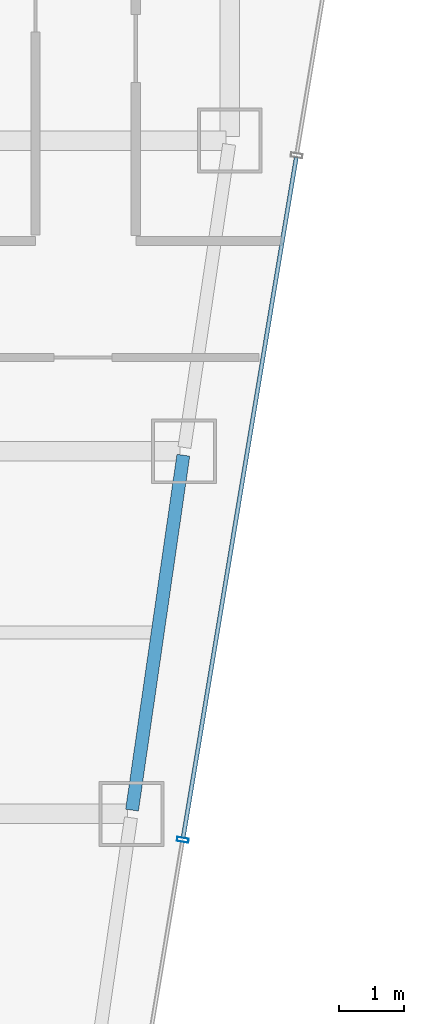
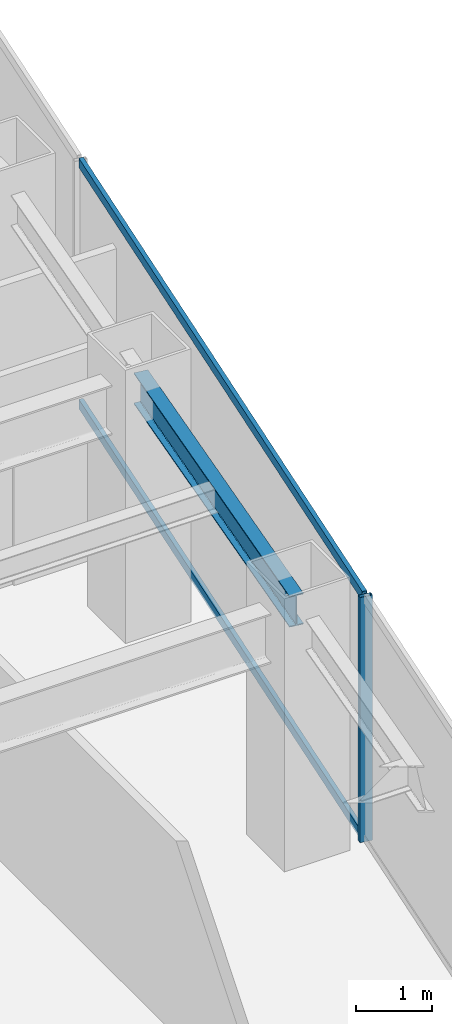
# One storey, part 17 of 36: 3 members, 1 beam, 1 element without a shape of its own.
"""IFC4 building model written with IfcOpenShell, lengths in metres."""

from ifc_helpers import new_model, si_unit, direction, frame, origin, origin_2d, place, context, subcontext, project, spatial, hollow_rectangle, i_section, extrude, material, material_profile, profile_set, type_object, element, aggregate, save


model = new_model("IFC4")

# Units and contexts
model_context = context("Model", 3, precision=1e-05, world=origin(), true_north=direction((0.0, 1.0)))
body_context = subcontext(model_context, "Body", "Model", "MODEL_VIEW")
ifc_project = project(units=[si_unit("LENGTHUNIT", "METRE"), si_unit("AREAUNIT", "SQUARE_METRE"), si_unit("VOLUMEUNIT", "CUBIC_METRE"), si_unit("PLANEANGLEUNIT", "RADIAN"), si_unit("MASSUNIT", "GRAM", prefix="KILO")], contexts=[model_context])

# Site, building, storey
site_placement = place(None, origin())
site = spatial("IfcSite", under=ifc_project, at=site_placement, CompositionType="ELEMENT")
building_placement = place(site_placement, origin())
building = spatial("IfcBuilding", under=site, at=building_placement, Name="Saevonmaru Cultural Tower", CompositionType="ELEMENT")
storey_placement = place(building_placement, frame((0.0, 0.0, 119.199951171875)))
storey = spatial("IfcBuildingStorey", under=building, at=storey_placement, Name="L25", CompositionType="ELEMENT", Elevation=119.199951171875)

# Beam
ifc_material_1 = material(Name="Steel SM355", Category="steel")
ifc_material_profile_1 = material_profile(ifc_material_1, i_section(OverallWidth=0.199951171875, OverallDepth=0.5, WebThickness=0.010009765625, FlangeThickness=0.01611328125, FilletRadius=0.02001953125, at=origin_2d()), Name="H-500x200x10x16")
ifc_profile_set_1 = profile_set([ifc_material_profile_1], Name="Steel SM355")
beam_type = type_object("IfcBeamType", Name="BM-SP-H500", PredefinedType="SPANDREL", material=ifc_profile_set_1)
beam_placement = place(storey_placement, frame((51.691650390625, 32.059326171875, 3.699951171875), z_axis=(0.142964121327, 0.989727871697, 0.0), x_axis=(-0.989727871697, 0.142964121327, 0.0)))
element("IfcBeam", 1, at=beam_placement, inside=storey, type_object=beam_type, Name="L25 East Splayed Spandrel 4", PredefinedType="SPANDREL", context=body_context, shape_type="SweptSolid", body=[
    extrude(i_section(OverallWidth=0.199951171875, OverallDepth=0.5, WebThickness=0.010009765625, FlangeThickness=0.01611328125, FilletRadius=0.02001953125, at=origin_2d()), origin(), (0.0, 0.0, 1.0), 5.5380859375),
])

# Curtain wall, members
ifc_material_2 = material(Name="Satin Bronze Anodised Aluminium", Category="aluminium")
curtain_wall_type = type_object("IfcCurtainWallType", Name="CW-TYP-A", PredefinedType="NOTDEFINED", material=ifc_material_2)
curtain_wall_placement = place(storey_placement, origin())
curtain_wall = element("IfcCurtainWall", 2, at=curtain_wall_placement, inside=storey, type_object=curtain_wall_type, Name="L25 Unitised Curtain Wall E8", PredefinedType="NOTDEFINED")
ifc_material_profile_2 = material_profile(ifc_material_2, hollow_rectangle(XDim=0.06494140625, YDim=0.179931640625, WallThickness=0.00390625, at=origin_2d()), Name="ALU-MULL-180x65x4")
ifc_profile_set_2 = profile_set([ifc_material_profile_2], Name="Satin Bronze Anodised Aluminium")
member_type_1 = type_object("IfcMemberType", Name="ML-CW-180x65", PredefinedType="MULLION", material=ifc_profile_set_2)
member_1_placement = place(storey_placement, frame((52.4755859375, 31.60009765625, 0.0), z_axis=(0.0, 0.0, 1.0), x_axis=(0.163998702345, 0.986460554523, 0.0)))
member_1 = element("IfcMember", 3, at=member_1_placement, type_object=member_type_1, Name="CW-TW-L25-E8 mullion 3", PredefinedType="MULLION", context=body_context, shape_type="SweptSolid", body=[
    extrude(hollow_rectangle(XDim=0.06494140625, YDim=0.179931640625, WallThickness=0.00390625, at=origin_2d()), origin(), (0.0, 0.0, 1.0), 3.949951171875),
])
ifc_material_profile_3 = material_profile(ifc_material_2, hollow_rectangle(XDim=0.06494140625, YDim=0.14990234375, WallThickness=0.00390625, at=origin_2d()), Name="ALU-TRAN-150x65x4")
ifc_profile_set_3 = profile_set([ifc_material_profile_3], Name="Satin Bronze Anodised Aluminium")
member_type_2 = type_object("IfcMemberType", Name="TR-CW-150x65", PredefinedType="USERDEFINED", material=ifc_profile_set_3)
member_2_placement = place(storey_placement, frame((52.48095703125, 31.632080078125, 0.032470703125), z_axis=(0.163990079074, 0.9864619881, 0.0), x_axis=(-0.9864619881, 0.163990079074, 0.0)))
member_2 = element("IfcMember", 4, at=member_2_placement, type_object=member_type_2, Name="CW-TW-L25-E8 transom 3.1", ObjectType="TRANSOM", PredefinedType="USERDEFINED", context=body_context, shape_type="SweptSolid", body=[
    extrude(hollow_rectangle(XDim=0.06494140625, YDim=0.14990234375, WallThickness=0.00390625, at=origin_2d()), origin(), (0.0, 0.0, 1.0), 10.650634765625),
])
member_3_placement = place(storey_placement, frame((52.48095703125, 31.632080078125, 3.91748046875), z_axis=(0.163990079074, 0.9864619881, 0.0), x_axis=(-0.9864619881, 0.163990079074, 0.0)))
member_3 = element("IfcMember", 5, at=member_3_placement, type_object=member_type_2, Name="CW-TW-L25-E8 transom 3.2", ObjectType="TRANSOM", PredefinedType="USERDEFINED", context=body_context, shape_type="SweptSolid", body=[
    extrude(hollow_rectangle(XDim=0.06494140625, YDim=0.14990234375, WallThickness=0.00390625, at=origin_2d()), origin(), (0.0, 0.0, 1.0), 10.650634765625),
])
aggregate(curtain_wall, [member_1, member_2, member_3])

save(model, "model.ifc")
